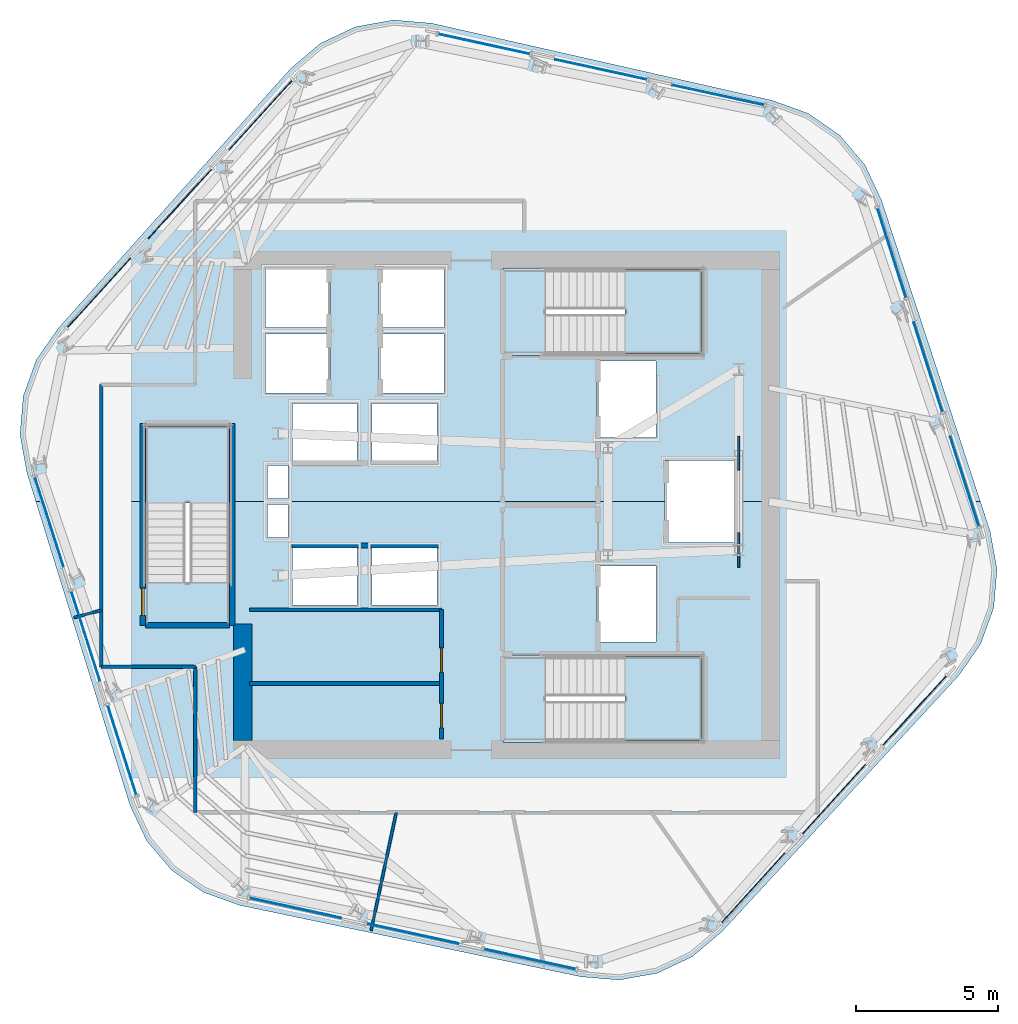
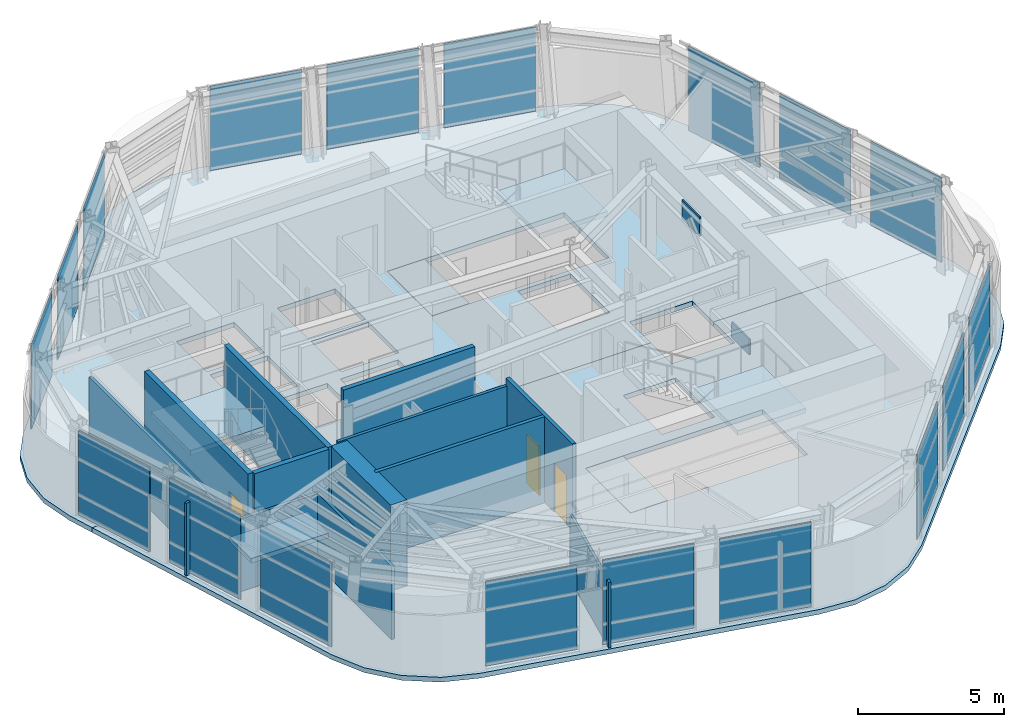
# One storey, part 6 of 13: 20 plates, 13 walls, 8 slabs, 3 doors, 3 openings, 9 elements without a shape of their own.
"""IFC4 building model written with IfcOpenShell, lengths in metres."""

from ifc_helpers import new_model, si_unit, direction, frame, frame_2d, origin, origin_2d, place, context, subcontext, project, spatial, polyline, rectangle, outline, extrude, material, layer, layer_set, type_object, element, fill, aggregate, save


model = new_model("IFC4")

# Units and contexts
model_context = context("Model", 3, precision=1e-05, world=origin(), true_north=direction((0.0, 1.0)))
body_context = subcontext(model_context, "Body", "Model", "MODEL_VIEW")
ifc_project = project(units=[si_unit("LENGTHUNIT", "METRE"), si_unit("AREAUNIT", "SQUARE_METRE"), si_unit("VOLUMEUNIT", "CUBIC_METRE"), si_unit("PLANEANGLEUNIT", "RADIAN"), si_unit("MASSUNIT", "GRAM", prefix="KILO")], contexts=[model_context])

# Site, building, storey
site_placement = place(None, origin())
site = spatial("IfcSite", under=ifc_project, at=site_placement, CompositionType="ELEMENT")
building_placement = place(site_placement, origin())
building = spatial("IfcBuilding", under=site, at=building_placement, Name="Valkerne Bourse Tower", CompositionType="ELEMENT")
storey_placement = place(building_placement, frame((0.0, 0.0, 228.39990234375)))
storey = spatial("IfcBuildingStorey", under=building, at=storey_placement, Name="L58", CompositionType="ELEMENT", Elevation=228.39990234375)

# Curtain wall, plates
ifc_material_1 = material(Name="Aluminium AA 6063-T6", Category="aluminium")
ifc_layer_1 = layer(ifc_material_1, 0.239990234375)
ifc_layer_set_1 = layer_set([ifc_layer_1], Name="Aluminium AA 6063-T6")
curtain_wall_type = type_object("IfcCurtainWallType", Name="CW-04", PredefinedType="NOTDEFINED", material=ifc_layer_set_1)
curtain_wall_1_placement = place(storey_placement, origin())
curtain_wall_1 = element("IfcCurtainWall", 1, at=curtain_wall_1_placement, inside=storey, type_object=curtain_wall_type, Name="L58 Hexagonal Stick Curtain Wall Face 1", PredefinedType="NOTDEFINED")
ifc_material_2 = material(Name="Glass IGU Low-E Double Glazed", Category="glass")
ifc_layer_2 = layer(ifc_material_2, 0.031982421875)
ifc_layer_set_2 = layer_set([ifc_layer_2], Name="Glass IGU Low-E Double Glazed")
plate_type_1 = type_object("IfcPlateType", Name="CW-PNL-IGU-32", PredefinedType="CURTAIN_PANEL", material=ifc_layer_set_2)
plate_1_placement = place(storey_placement, frame((54.2255859375, 41.284912109375, 0.030029296875), z_axis=(0.0, 0.0, 1.0), x_axis=(-0.977044611167, 0.213034804174, 0.0)))
plate_1 = element("IfcPlate", 2, at=plate_1_placement, type_object=plate_type_1, Name="CW-L58-F1 Curtain Panel 00", PredefinedType="CURTAIN_PANEL", context=body_context, shape_type="SweptSolid", body=[
    extrude(rectangle(XDim=3.2919921875, YDim=0.031982421875, at=origin_2d()), origin(), (0.0, 0.0, 1.0), 3.5400390625),
])
plate_2_placement = place(storey_placement, frame((50.110107421875, 42.18212890625, 0.030029296875), z_axis=(0.0, 0.0, 1.0), x_axis=(-0.977045688621, 0.213029862571, 0.0)))
plate_2 = element("IfcPlate", 3, at=plate_2_placement, type_object=plate_type_1, Name="CW-L58-F1 Curtain Panel 01", PredefinedType="CURTAIN_PANEL", context=body_context, shape_type="SweptSolid", body=[
    extrude(rectangle(XDim=3.2919921875, YDim=0.031982421875, at=origin_2d()), origin(), (0.0, 0.0, 1.0), 3.5400390625),
])
plate_3_placement = place(storey_placement, frame((45.994873046875, 43.079345703125, 0.030029296875), z_axis=(0.0, 0.0, 1.0), x_axis=(-0.977044611167, 0.213034804174, 0.0)))
plate_3 = element("IfcPlate", 4, at=plate_3_placement, type_object=plate_type_1, Name="CW-L58-F1 Curtain Panel 02", PredefinedType="CURTAIN_PANEL", context=body_context, shape_type="SweptSolid", body=[
    extrude(rectangle(XDim=3.2919921875, YDim=0.031982421875, at=origin_2d()), origin(), (0.0, 0.0, 1.0), 3.5400390625),
])
aggregate(curtain_wall_1, [plate_1, plate_2, plate_3])

curtain_wall_2_placement = place(storey_placement, origin())
curtain_wall_2 = element("IfcCurtainWall", 5, at=curtain_wall_2_placement, inside=storey, type_object=curtain_wall_type, Name="L58 Hexagonal Stick Curtain Wall Face 2", PredefinedType="NOTDEFINED")
plate_4_placement = place(storey_placement, frame((38.141845703125, 40.572998046875, 0.030029296875), z_axis=(0.0, 0.0, 1.0), x_axis=(-0.673011878103, -0.739631673154, 0.0)))
plate_4 = element("IfcPlate", 6, at=plate_4_placement, type_object=plate_type_1, Name="CW-L58-F2 Curtain Panel 00", PredefinedType="CURTAIN_PANEL", context=body_context, shape_type="SweptSolid", body=[
    extrude(rectangle(XDim=3.2919921875, YDim=0.031982421875, at=origin_2d()), origin(), (0.0, 0.0, 1.0), 3.5400390625),
])
plate_5_placement = place(storey_placement, frame((35.30712890625, 37.457763671875, 0.030029296875), z_axis=(0.0, 0.0, 1.0), x_axis=(-0.673011878103, -0.739631673154, 0.0)))
plate_5 = element("IfcPlate", 7, at=plate_5_placement, type_object=plate_type_1, Name="CW-L58-F2 Curtain Panel 01", PredefinedType="CURTAIN_PANEL", context=body_context, shape_type="SweptSolid", body=[
    extrude(rectangle(XDim=3.2919921875, YDim=0.031982421875, at=origin_2d()), origin(), (0.0, 0.0, 1.0), 3.5400390625),
])
plate_6_placement = place(storey_placement, frame((32.472412109375, 34.342529296875, 0.030029296875), z_axis=(0.0, 0.0, 1.0), x_axis=(-0.673024865933, -0.73961985495, 0.0)))
plate_6 = element("IfcPlate", 8, at=plate_6_placement, type_object=plate_type_1, Name="CW-L58-F2 Curtain Panel 02", PredefinedType="CURTAIN_PANEL", context=body_context, shape_type="SweptSolid", body=[
    extrude(rectangle(XDim=3.2919921875, YDim=0.031982421875, at=origin_2d()), origin(), (0.0, 0.0, 1.0), 3.5400390625),
])
aggregate(curtain_wall_2, [plate_4, plate_5, plate_6])

curtain_wall_3_placement = place(storey_placement, origin())
curtain_wall_3 = element("IfcCurtainWall", 9, at=curtain_wall_3_placement, inside=storey, type_object=curtain_wall_type, Name="L58 Hexagonal Stick Curtain Wall Face 3", PredefinedType="NOTDEFINED")
plate_7_placement = place(storey_placement, frame((30.71630859375, 26.288330078125, 0.030029296875), z_axis=(0.0, 0.0, 1.0), x_axis=(0.304014958903, -0.952667258157, 0.0)))
plate_7 = element("IfcPlate", 10, at=plate_7_placement, type_object=plate_type_1, Name="CW-L58-F3 Curtain Panel 00", PredefinedType="CURTAIN_PANEL", context=body_context, shape_type="SweptSolid", body=[
    extrude(rectangle(XDim=3.2919921875, YDim=0.031982421875, at=origin_2d()), origin(), (0.0, 0.0, 1.0), 3.5400390625),
])
plate_8_placement = place(storey_placement, frame((31.996826171875, 22.275634765625, 0.030029296875), z_axis=(0.0, 0.0, 1.0), x_axis=(0.304036506204, -0.952660381718, 0.0)))
plate_8 = element("IfcPlate", 11, at=plate_8_placement, type_object=plate_type_1, Name="CW-L58-F3 Curtain Panel 01", PredefinedType="CURTAIN_PANEL", context=body_context, shape_type="SweptSolid", body=[
    extrude(rectangle(XDim=3.2919921875, YDim=0.031982421875, at=origin_2d()), origin(), (0.0, 0.0, 1.0), 3.5400390625),
])
plate_9_placement = place(storey_placement, frame((33.27734375, 18.26318359375, 0.030029296875), z_axis=(0.0, 0.0, 1.0), x_axis=(0.304036506204, -0.952660381718, 0.0)))
plate_9 = element("IfcPlate", 12, at=plate_9_placement, type_object=plate_type_1, Name="CW-L58-F3 Curtain Panel 02", PredefinedType="CURTAIN_PANEL", context=body_context, shape_type="SweptSolid", body=[
    extrude(rectangle(XDim=3.2919921875, YDim=0.031982421875, at=origin_2d()), origin(), (0.0, 0.0, 1.0), 3.5400390625),
])
aggregate(curtain_wall_3, [plate_7, plate_8, plate_9])

curtain_wall_4_placement = place(storey_placement, origin())
curtain_wall_4 = element("IfcCurtainWall", 13, at=curtain_wall_4_placement, inside=storey, type_object=curtain_wall_type, Name="L58 Hexagonal Stick Curtain Wall Face 4", PredefinedType="NOTDEFINED")
plate_10_placement = place(storey_placement, frame((39.37451171875, 12.71533203125, 0.030029296875), z_axis=(0.0, 0.0, 1.0), x_axis=(0.977044611167, -0.213034804174, 0.0)))
plate_10 = element("IfcPlate", 14, at=plate_10_placement, type_object=plate_type_1, Name="CW-L58-F4 Curtain Panel 00", PredefinedType="CURTAIN_PANEL", context=body_context, shape_type="SweptSolid", body=[
    extrude(rectangle(XDim=3.2919921875, YDim=0.031982421875, at=origin_2d()), origin(), (0.0, 0.0, 1.0), 3.5400390625),
])
plate_11_placement = place(storey_placement, frame((43.48974609375, 11.81787109375, 0.030029296875), z_axis=(0.0, 0.0, 1.0), x_axis=(0.977045688621, -0.213029862571, 0.0)))
plate_11 = element("IfcPlate", 15, at=plate_11_placement, type_object=plate_type_1, Name="CW-L58-F4 Curtain Panel 01", PredefinedType="CURTAIN_PANEL", context=body_context, shape_type="SweptSolid", body=[
    extrude(rectangle(XDim=3.2919921875, YDim=0.031982421875, at=origin_2d()), origin(), (0.0, 0.0, 1.0), 3.5400390625),
])
plate_12_placement = place(storey_placement, frame((47.60498046875, 10.920654296875, 0.030029296875), z_axis=(0.0, 0.0, 1.0), x_axis=(0.977044611167, -0.213034804174, 0.0)))
plate_12 = element("IfcPlate", 16, at=plate_12_placement, type_object=plate_type_1, Name="CW-L58-F4 Curtain Panel 02", PredefinedType="CURTAIN_PANEL", context=body_context, shape_type="SweptSolid", body=[
    extrude(rectangle(XDim=3.2919921875, YDim=0.031982421875, at=origin_2d()), origin(), (0.0, 0.0, 1.0), 3.5400390625),
])
aggregate(curtain_wall_4, [plate_10, plate_11, plate_12])

curtain_wall_5_placement = place(storey_placement, origin())
curtain_wall_5 = element("IfcCurtainWall", 17, at=curtain_wall_5_placement, inside=storey, type_object=curtain_wall_type, Name="L58 Hexagonal Stick Curtain Wall Face 5", PredefinedType="NOTDEFINED")
plate_13_placement = place(storey_placement, frame((55.458251953125, 13.427001953125, 0.030029296875), z_axis=(0.0, 0.0, 1.0), x_axis=(0.673011878103, 0.739631673154, 0.0)))
plate_13 = element("IfcPlate", 18, at=plate_13_placement, type_object=plate_type_1, Name="CW-L58-F5 Curtain Panel 00", PredefinedType="CURTAIN_PANEL", context=body_context, shape_type="SweptSolid", body=[
    extrude(rectangle(XDim=3.2919921875, YDim=0.031982421875, at=origin_2d()), origin(), (0.0, 0.0, 1.0), 3.5400390625),
])
plate_14_placement = place(storey_placement, frame((58.29296875, 16.542236328125, 0.030029296875), z_axis=(0.0, 0.0, 1.0), x_axis=(0.673011878103, 0.739631673154, 0.0)))
plate_14 = element("IfcPlate", 19, at=plate_14_placement, type_object=plate_type_1, Name="CW-L58-F5 Curtain Panel 01", PredefinedType="CURTAIN_PANEL", context=body_context, shape_type="SweptSolid", body=[
    extrude(rectangle(XDim=3.2919921875, YDim=0.031982421875, at=origin_2d()), origin(), (0.0, 0.0, 1.0), 3.5400390625),
])
plate_15_placement = place(storey_placement, frame((61.127685546875, 19.657470703125, 0.030029296875), z_axis=(0.0, 0.0, 1.0), x_axis=(0.673024865933, 0.73961985495, 0.0)))
plate_15 = element("IfcPlate", 20, at=plate_15_placement, type_object=plate_type_1, Name="CW-L58-F5 Curtain Panel 02", PredefinedType="CURTAIN_PANEL", context=body_context, shape_type="SweptSolid", body=[
    extrude(rectangle(XDim=3.2919921875, YDim=0.031982421875, at=origin_2d()), origin(), (0.0, 0.0, 1.0), 3.5400390625),
])
aggregate(curtain_wall_5, [plate_13, plate_14, plate_15])

curtain_wall_6_placement = place(storey_placement, origin())
curtain_wall_6 = element("IfcCurtainWall", 21, at=curtain_wall_6_placement, inside=storey, type_object=curtain_wall_type, Name="L58 Hexagonal Stick Curtain Wall Face 6", PredefinedType="NOTDEFINED")
plate_16_placement = place(storey_placement, frame((62.8837890625, 27.711669921875, 0.030029296875), z_axis=(0.0, 0.0, 1.0), x_axis=(-0.304014958903, 0.952667258157, 0.0)))
plate_16 = element("IfcPlate", 22, at=plate_16_placement, type_object=plate_type_1, Name="CW-L58-F6 Curtain Panel 00", PredefinedType="CURTAIN_PANEL", context=body_context, shape_type="SweptSolid", body=[
    extrude(rectangle(XDim=3.2919921875, YDim=0.031982421875, at=origin_2d()), origin(), (0.0, 0.0, 1.0), 3.5400390625),
])
plate_17_placement = place(storey_placement, frame((61.603271484375, 31.724365234375, 0.030029296875), z_axis=(0.0, 0.0, 1.0), x_axis=(-0.304036506204, 0.952660381718, 0.0)))
plate_17 = element("IfcPlate", 23, at=plate_17_placement, type_object=plate_type_1, Name="CW-L58-F6 Curtain Panel 01", PredefinedType="CURTAIN_PANEL", context=body_context, shape_type="SweptSolid", body=[
    extrude(rectangle(XDim=3.2919921875, YDim=0.031982421875, at=origin_2d()), origin(), (0.0, 0.0, 1.0), 3.5400390625),
])
plate_18_placement = place(storey_placement, frame((60.322509765625, 35.73681640625, 0.030029296875), z_axis=(0.0, 0.0, 1.0), x_axis=(-0.304036506204, 0.952660381718, 0.0)))
plate_18 = element("IfcPlate", 24, at=plate_18_placement, type_object=plate_type_1, Name="CW-L58-F6 Curtain Panel 02", PredefinedType="CURTAIN_PANEL", context=body_context, shape_type="SweptSolid", body=[
    extrude(rectangle(XDim=3.2919921875, YDim=0.031982421875, at=origin_2d()), origin(), (0.0, 0.0, 1.0), 3.5400390625),
])
aggregate(curtain_wall_6, [plate_16, plate_17, plate_18])

# Plates
ifc_material_3 = material(Name="Steel ASTM A572 Grade 50", Category="steel")
ifc_layer_3 = layer(ifc_material_3, 0.06005859375)
ifc_layer_set_3 = layer_set([ifc_layer_3], Name="Steel ASTM A572 Grade 50")
plate_type_2 = type_object("IfcPlateType", Name="PLT-GUS-60", PredefinedType="SHEET", material=ifc_layer_set_3)
for number, where, z_axis, x_axis, name in (
    (25, (54.949951171875, 25.300048828125, -0.1796875), (0.0, 0.0, 1.0), (0.0, 1.0, 0.0), "L58 Brace Node Gusset Plate PLT-GUS-END-L58-432"),
    (26, (54.949951171875, 28.699951171875, 2.89404296875), (0.0, 0.0, 1.0), (0.0, 1.0, 0.0), "L58 Brace Node Gusset Plate PLT-GUS-END-L58-433"),
):
    element("IfcPlate", number, at=place(storey_placement, frame(where, z_axis=z_axis, x_axis=x_axis)), inside=storey, type_object=plate_type_2, Name=name, PredefinedType="SHEET", context=body_context, shape_type="SweptSolid", body=[
        extrude(rectangle(XDim=1.199951171875, YDim=0.06005859375, at=origin_2d()), origin(), (0.0, 0.0, 1.0), 0.800048828125),
    ])

# Slabs
ifc_material_4 = material(Name="Concrete C40/50", Category="concrete")
ifc_layer_4 = layer(ifc_material_4, 0.25)
ifc_layer_set_4 = layer_set([ifc_layer_4], Name="Concrete C40/50")
slab_type_1 = type_object("IfcSlabType", Name="SLB-RMP-LND-250", PredefinedType="LANDING", material=ifc_layer_set_4)
slab_1_placement = place(storey_placement, frame((0.0, 0.0, -0.199951171875)))
element("IfcSlab", 27, at=slab_1_placement, inside=storey, type_object=slab_type_1, Name="L58 ST-1 Floor Landing Slab", PredefinedType="LANDING", context=body_context, shape_type="SweptSolid", body=[
    extrude(outline(polyline([(46.669921875, 18.5400390625), (48.14990234375, 18.5400390625), (48.14990234375, 21.610107421875), (46.669921875, 21.610107421875), (46.669921875, 18.5400390625)])), origin(), (0.0, 0.0, 1.0), 0.199951171875),
])
slab_2_placement = place(storey_placement, frame((0.0, 0.0, -0.199951171875)))
element("IfcSlab", 28, at=slab_2_placement, inside=storey, type_object=slab_type_1, Name="L58 ST-2 Floor Landing Slab", PredefinedType="LANDING", context=body_context, shape_type="SweptSolid", body=[
    extrude(outline(polyline([(46.669921875, 32.139892578125), (48.14990234375, 32.139892578125), (48.14990234375, 35.2099609375), (46.669921875, 35.2099609375), (46.669921875, 32.139892578125)])), origin(), (0.0, 0.0, 1.0), 0.199951171875),
])
slab_3_placement = place(storey_placement, frame((0.0, 0.0, -0.199951171875)))
element("IfcSlab", 29, at=slab_3_placement, inside=storey, type_object=slab_type_1, Name="L58 ST-3 Floor Landing Slab", PredefinedType="LANDING", context=body_context, shape_type="SweptSolid", body=[
    extrude(outline(polyline([(37.110107421875, 22.669921875), (37.110107421875, 24.14990234375), (34.0400390625, 24.14990234375), (34.0400390625, 22.669921875), (37.110107421875, 22.669921875)])), origin(), (0.0, 0.0, 1.0), 0.199951171875),
])

# Stair, slab
stair_type = type_object("IfcStairType", Name="ST-CORE-1400", PredefinedType="HALF_TURN_STAIR", material=ifc_material_4)
stair_1_placement = place(storey_placement, origin())
stair_1 = element("IfcStair", 30, at=stair_1_placement, inside=storey, type_object=stair_type, Name="L58 ST-1", PredefinedType="HALF_TURN_STAIR")
ifc_layer_5 = layer(ifc_material_4, 0.179931640625)
ifc_layer_set_5 = layer_set([ifc_layer_5], Name="Concrete C40/50")
slab_type_2 = type_object("IfcSlabType", Name="SLB-ST-LND-180", PredefinedType="LANDING", material=ifc_layer_set_5)
slab_4_placement = place(storey_placement, frame((0.0, 0.0, 1.7001953125)))
slab_4 = element("IfcSlab", 31, at=slab_4_placement, type_object=slab_type_2, Name="ST-1 landing 1", PredefinedType="LANDING", context=body_context, shape_type="SweptSolid", body=[
    extrude(outline(polyline([(50.949951171875, 18.60009765625), (53.64990234375, 18.60009765625), (53.64990234375, 21.550048828125), (50.949951171875, 21.550048828125), (50.949951171875, 18.60009765625)])), origin(), (0.0, 0.0, 1.0), 0.199951171875),
])
aggregate(stair_1, [slab_4])

stair_2_placement = place(storey_placement, origin())
stair_2 = element("IfcStair", 32, at=stair_2_placement, inside=storey, type_object=stair_type, Name="L58 ST-2", PredefinedType="HALF_TURN_STAIR")
slab_5_placement = place(storey_placement, frame((0.0, 0.0, 1.7001953125)))
slab_5 = element("IfcSlab", 33, at=slab_5_placement, type_object=slab_type_2, Name="ST-2 landing 1", PredefinedType="LANDING", context=body_context, shape_type="SweptSolid", body=[
    extrude(outline(polyline([(50.949951171875, 32.199951171875), (53.64990234375, 32.199951171875), (53.64990234375, 35.14990234375), (50.949951171875, 35.14990234375), (50.949951171875, 32.199951171875)])), origin(), (0.0, 0.0, 1.0), 0.199951171875),
])
aggregate(stair_2, [slab_5])

stair_3_placement = place(storey_placement, origin())
stair_3 = element("IfcStair", 34, at=stair_3_placement, inside=storey, type_object=stair_type, Name="L58 ST-3", PredefinedType="HALF_TURN_STAIR")
slab_6_placement = place(storey_placement, frame((0.0, 0.0, 1.7001953125)))
slab_6 = element("IfcSlab", 35, at=slab_6_placement, type_object=slab_type_2, Name="ST-3 landing 1", PredefinedType="LANDING", context=body_context, shape_type="SweptSolid", body=[
    extrude(outline(polyline([(37.050048828125, 26.949951171875), (37.050048828125, 29.64990234375), (34.10009765625, 29.64990234375), (34.10009765625, 26.949951171875), (37.050048828125, 26.949951171875)])), origin(), (0.0, 0.0, 1.0), 0.199951171875),
])
aggregate(stair_3, [slab_6])

# Slabs
ifc_layer_6 = layer(ifc_material_4, 0.199951171875)
ifc_layer_set_6 = layer_set([ifc_layer_6], Name="Concrete C40/50")
slab_type_3 = type_object("IfcSlabType", Name="SLB-TOW-200", PredefinedType="FLOOR", material=ifc_layer_set_6)
slab_7_placement = place(storey_placement, frame((0.0, 0.0, -0.199951171875)))
element("IfcSlab", 36, at=slab_7_placement, inside=storey, type_object=slab_type_3, Name="L58 Hexagonal Composite Floor Slab S", PredefinedType="FLOOR", context=body_context, shape_type="SweptSolid", body=[
    extrude(outline(polyline([(64.02392578125, 24.6220703125), (63.910400390625, 23.269287109375), (63.450439453125, 21.9921875), (62.67578125, 20.87744140625), (54.35400390625, 11.882080078125), (53.317138671875, 11.005859375), (52.0888671875, 10.427978515625), (50.752685546875, 10.1875), (49.400146484375, 10.301025390625), (37.406005859375, 12.812744140625), (36.128662109375, 13.272705078125), (35.013916015625, 14.04736328125), (34.1376953125, 15.084228515625), (33.559814453125, 16.3125), (30.245849609375, 27.0), (34.034912109375, 27.0), (34.034912109375, 22.6650390625), (37.114990234375, 22.6650390625), (37.114990234375, 27.0), (52.360107421875, 27.0), (52.360107421875, 25.56005859375), (54.840087890625, 25.56005859375), (54.840087890625, 27.0), (63.44140625, 27.0), (63.783447265625, 25.9580078125), (64.02392578125, 24.6220703125)]), holes=[polyline([(41.5400390625, 25.43994140625), (39.260009765625, 25.43994140625), (39.260009765625, 23.360107421875), (41.5400390625, 23.360107421875), (41.5400390625, 25.43994140625)]), polyline([(44.340087890625, 25.43994140625), (42.06005859375, 25.43994140625), (42.06005859375, 23.360107421875), (44.340087890625, 23.360107421875), (44.340087890625, 25.43994140625)]), polyline([(39.10009765625, 26.89990234375), (38.3798828125, 26.89990234375), (38.3798828125, 25.72998046875), (39.10009765625, 25.72998046875), (39.10009765625, 26.89990234375)]), polyline([(53.675048828125, 21.614990234375), (46.6650390625, 21.614990234375), (46.6650390625, 18.534912109375), (53.675048828125, 18.534912109375), (53.675048828125, 21.614990234375)]), polyline([(52.0400390625, 24.739990234375), (49.9599609375, 24.739990234375), (49.9599609375, 22.06005859375), (52.0400390625, 22.06005859375), (52.0400390625, 24.739990234375)])]), origin(), (0.0, 0.0, 1.0), 0.199951171875),
])
slab_8_placement = place(storey_placement, frame((0.0, 0.0, -0.199951171875)))
element("IfcSlab", 37, at=slab_8_placement, inside=storey, type_object=slab_type_3, Name="L58 Hexagonal Composite Floor Slab N", PredefinedType="FLOOR", context=body_context, shape_type="SweptSolid", body=[
    extrude(outline(polyline([(29.930419921875, 28.01708984375), (29.690185546875, 29.35302734375), (29.8037109375, 30.705810546875), (30.263671875, 31.98291015625), (31.038330078125, 33.09765625), (39.210693359375, 42.22900390625), (40.247314453125, 43.105224609375), (41.4755859375, 43.683349609375), (42.811767578125, 43.923583984375), (44.164306640625, 43.81005859375), (56.115478515625, 41.100830078125), (57.392578125, 40.64111328125), (58.50732421875, 39.8662109375), (59.383544921875, 38.82958984375), (59.961669921875, 37.601318359375), (63.44140625, 27.0), (54.840087890625, 27.0), (54.840087890625, 28.43994140625), (52.360107421875, 28.43994140625), (52.360107421875, 27.0), (37.114990234375, 27.0), (37.114990234375, 29.675048828125), (34.034912109375, 29.675048828125), (34.034912109375, 27.0), (30.245849609375, 27.0), (29.930419921875, 28.01708984375)]), holes=[polyline([(39.10009765625, 28.27001953125), (38.3798828125, 28.27001953125), (38.3798828125, 27.10009765625), (39.10009765625, 27.10009765625), (39.10009765625, 28.27001953125)]), polyline([(41.5400390625, 30.43994140625), (39.260009765625, 30.43994140625), (39.260009765625, 28.360107421875), (41.5400390625, 28.360107421875), (41.5400390625, 30.43994140625)]), polyline([(40.590087890625, 32.889892578125), (38.31005859375, 32.889892578125), (38.31005859375, 30.81005859375), (40.590087890625, 30.81005859375), (40.590087890625, 32.889892578125)]), polyline([(40.590087890625, 35.18994140625), (38.31005859375, 35.18994140625), (38.31005859375, 33.110107421875), (40.590087890625, 33.110107421875), (40.590087890625, 35.18994140625)]), polyline([(44.340087890625, 30.43994140625), (42.06005859375, 30.43994140625), (42.06005859375, 28.360107421875), (44.340087890625, 28.360107421875), (44.340087890625, 30.43994140625)]), polyline([(52.0400390625, 31.93994140625), (49.9599609375, 31.93994140625), (49.9599609375, 29.260009765625), (52.0400390625, 29.260009765625), (52.0400390625, 31.93994140625)]), polyline([(44.590087890625, 32.889892578125), (42.31005859375, 32.889892578125), (42.31005859375, 30.81005859375), (44.590087890625, 30.81005859375), (44.590087890625, 32.889892578125)]), polyline([(53.675048828125, 35.215087890625), (46.6650390625, 35.215087890625), (46.6650390625, 32.135009765625), (53.675048828125, 32.135009765625), (53.675048828125, 35.215087890625)]), polyline([(44.590087890625, 35.18994140625), (42.31005859375, 35.18994140625), (42.31005859375, 33.110107421875), (44.590087890625, 33.110107421875), (44.590087890625, 35.18994140625)])]), origin(), (0.0, 0.0, 1.0), 0.199951171875),
])

# Walls
ifc_material_5 = material(Name="Concrete C55/67", Category="concrete")
ifc_layer_7 = layer(ifc_material_5, 0.64990234375)
ifc_layer_set_7 = layer_set([ifc_layer_7], Name="Concrete C55/67")
wall_type_1 = type_object("IfcWallType", Name="W-CORE-650", PredefinedType="SHEAR", material=ifc_layer_set_7)
wall_1_placement = place(storey_placement, frame((37.52490234375, 18.60009765625, 0.0), z_axis=(0.0, 0.0, 1.0), x_axis=(0.0, 1.0, 0.0)))
element("IfcWall", 38, at=wall_1_placement, inside=storey, type_object=wall_type_1, Name="L58 Core Shear Wall WEST-S", PredefinedType="SHEAR", context=body_context, shape_type="SweptSolid", body=[
    extrude(rectangle(XDim=4.099853515625, YDim=0.64990234375, at=frame_2d((2.0498046875, 0.0))), origin(), (0.0, 0.0, 1.0), 3.60009765625),
])
ifc_material_6 = material(Name="Gypsum Board Steel-Stud Partition", Category="steel")
ifc_layer_8 = layer(ifc_material_6, 0.117919921875)
ifc_layer_set_8 = layer_set([ifc_layer_8], Name="Gypsum Board Steel-Stud Partition")
wall_type_2 = type_object("IfcWallType", Name="W-CORR-140", PredefinedType="PARTITIONING", material=ifc_layer_set_8)
wall_2_placement = place(storey_placement, frame((37.75, 23.199951171875, 0.0), z_axis=(0.0, 0.0, 1.0), x_axis=(1.0, 0.0, 0.0)))
element("IfcWall", 39, at=wall_2_placement, inside=storey, type_object=wall_type_2, Name="L58 LV7 Low-Bank North Wall", PredefinedType="PARTITIONING", context=body_context, shape_type="SweptSolid", body=[
    extrude(rectangle(XDim=6.75, YDim=0.117919921875, at=frame_2d((3.375, 0.0))), origin(), (0.0, 0.0, 1.0), 3.300048828125),
])
wall_3_placement = place(storey_placement, frame((35.85009765625, 16.080078125, 0.0), z_axis=(0.0, 0.0, 1.0), x_axis=(0.0, 1.0, 0.0)))
element("IfcWall", 40, at=wall_3_placement, inside=storey, type_object=wall_type_2, Name="L58 Corridor Enclosure Wall", PredefinedType="PARTITIONING", context=body_context, shape_type="SweptSolid", body=[
    extrude(rectangle(XDim=5.119873046875, YDim=0.117919921875, at=frame_2d((2.56005859375, 0.0))), origin(), (0.0, 0.0, 1.0), 3.04150390625),
])
wall_4_placement = place(storey_placement, frame((35.85009765625, 21.199951171875, 0.0), z_axis=(0.0, 0.0, 1.0), x_axis=(-1.0, 0.0, 0.0)))
element("IfcWall", 41, at=wall_4_placement, inside=storey, type_object=wall_type_2, Name="L58 Corridor Enclosure Wall", PredefinedType="PARTITIONING", context=body_context, shape_type="SweptSolid", body=[
    extrude(rectangle(XDim=3.300048828125, YDim=0.117919921875, at=frame_2d((1.64990234375, 0.0))), origin(), (0.0, 0.0, 1.0), 3.036376953125),
])
wall_5_placement = place(storey_placement, frame((32.550048828125, 21.199951171875, 0.0), z_axis=(0.0, 0.0, 1.0), x_axis=(0.0, 1.0, 0.0)))
element("IfcWall", 42, at=wall_5_placement, inside=storey, type_object=wall_type_2, Name="L58 Corridor Enclosure Wall", PredefinedType="PARTITIONING", context=body_context, shape_type="SweptSolid", body=[
    extrude(rectangle(XDim=9.900146484375, YDim=0.117919921875, at=frame_2d((4.9501953125, 0.0))), origin(), (0.0, 0.0, 1.0), 3.036376953125),
])
ifc_material_7 = material(Name="CMU Blockwork Masonry 200mm", Category="masonry")
ifc_layer_9 = layer(ifc_material_7, 0.179931640625)
ifc_layer_set_9 = layer_set([ifc_layer_9], Name="CMU Blockwork Masonry 200mm")
wall_type_3 = type_object("IfcWallType", Name="W-LFT-180", PredefinedType="SOLIDWALL", material=ifc_layer_set_9)
wall_6_placement = place(storey_placement, frame((39.25, 25.449951171875, 0.0), z_axis=(0.0, 0.0, 1.0), x_axis=(1.0, 0.0, 0.0)))
element("IfcWall", 43, at=wall_6_placement, inside=storey, type_object=wall_type_3, Name="L58 High-Zone South Cars Front Wall", PredefinedType="SOLIDWALL", context=body_context, shape_type="SweptSolid", body=[
    extrude(rectangle(XDim=5.199951171875, YDim=0.179931640625, at=frame_2d((2.60009765625, 0.0))), origin(), (0.0, 0.0, 1.0), 3.60009765625),
])
ifc_layer_10 = layer(ifc_material_6, 0.092041015625)
ifc_layer_set_10 = layer_set([ifc_layer_10], Name="Gypsum Board Steel-Stud Partition")
wall_type_4 = type_object("IfcWallType", Name="W-PART-115", PredefinedType="PARTITIONING", material=ifc_layer_set_10)
wall_7_placement = place(storey_placement, frame((42.91162109375, 16.074951171875, 0.0), z_axis=(0.0, 0.0, 1.0), x_axis=(-0.207940485995, -0.978141479687, 0.0)))
element("IfcWall", 44, at=wall_7_placement, inside=storey, type_object=wall_type_4, Name="L58 Suite Partition P01", PredefinedType="PARTITIONING", context=body_context, shape_type="SweptSolid", body=[
    extrude(rectangle(XDim=4.25146484375, YDim=0.092041015625, at=frame_2d((2.125732421875, 0.0))), origin(), (0.0, 0.0, 1.0), 2.731689453125),
])
wall_8_placement = place(storey_placement, frame((32.544921875, 23.180419921875, 0.0), z_axis=(0.0, 0.0, 1.0), x_axis=(-0.965875768108, -0.259005792565, 0.0)))
element("IfcWall", 45, at=wall_8_placement, inside=storey, type_object=wall_type_4, Name="L58 Suite Partition P05", PredefinedType="PARTITIONING", context=body_context, shape_type="SweptSolid", body=[
    extrude(rectangle(XDim=0.995361328125, YDim=0.092041015625, at=frame_2d((0.49755859375, 0.0))), origin(), (0.0, 0.0, 1.0), 3.036376953125),
])

# Wall, opening, door
ifc_layer_11 = layer(ifc_material_4, 0.199951171875)
ifc_layer_set_11 = layer_set([ifc_layer_11], Name="Concrete C40/50")
wall_type_5 = type_object("IfcWallType", Name="W-SHF-200", PredefinedType="SHEAR", material=ifc_layer_set_11)
wall_9_placement = place(storey_placement, frame((34.0, 22.64990234375, 0.0), z_axis=(0.0, 0.0, 1.0), x_axis=(0.0, 1.0, 0.0)))
wall_9 = element("IfcWall", 46, at=wall_9_placement, inside=storey, type_object=wall_type_5, Name="L58 Exit Stair ST-3 Structural Shaft Wall West", PredefinedType="SHEAR", context=body_context, shape_type="SweptSolid", body=[
    extrude(rectangle(XDim=7.10009765625, YDim=0.199951171875, at=frame_2d((3.550048828125, 0.0))), origin(), (0.0, 0.0, 1.0), 3.60009765625),
])
opening_1_placement = place(wall_9_placement, frame((0.35009765625, 0.0, 0.0)))
opening_1 = element("IfcOpeningElement", 47, at=opening_1_placement, cuts=wall_9, Name="Opening D-ST-950", PredefinedType="OPENING", context=body_context, shape_type="SweptSolid", body=[
    extrude(rectangle(XDim=0.949951171875, YDim=2.10009765625, at=frame_2d((0.47509765625, 1.050048828125))), frame((0.0, 0.10986328125, 0.0), z_axis=(0.0, -1.0, 0.0), x_axis=(1.0, 0.0, 0.0)), (0.0, 0.0, 1.0), 0.219970703125),
])
ifc_material_8 = material(Name="Galvanised Painted Steel", Category="steel")
door_type_1 = type_object("IfcDoorType", Name="DR-STAIR-950", OperationType="NOTDEFINED", PredefinedType="DOOR", material=ifc_material_8)
door_1_placement = place(opening_1_placement, origin())
door_1 = element("IfcDoor", 48, at=door_1_placement, inside=storey, type_object=door_type_1, Name="L58 Exit Stair ST-3 Door", OperationType="SINGLE_SWING_RIGHT", OverallHeight=2.10009765625, OverallWidth=0.949951171875, PredefinedType="DOOR", context=body_context, shape_type="SweptSolid", body=[
    extrude(rectangle(XDim=0.949951171875, YDim=2.10009765625, at=frame_2d((0.47509765625, 1.050048828125))), frame((0.0, 0.02490234375, 0.0), z_axis=(0.0, -1.0, 0.0), x_axis=(1.0, 0.0, 0.0)), (0.0, 0.0, 1.0), 0.050048828125),
])
fill(opening_1, door_1)

# Walls
wall_10_placement = place(storey_placement, frame((34.10009765625, 22.64990234375, 0.0), z_axis=(0.0, 0.0, 1.0), x_axis=(1.0, 0.0, 0.0)))
element("IfcWall", 49, at=wall_10_placement, inside=storey, type_object=wall_type_5, Name="L58 Exit Stair ST-3 Structural Shaft Wall South", PredefinedType="SHEAR", context=body_context, shape_type="SweptSolid", body=[
    extrude(rectangle(XDim=2.949951171875, YDim=0.199951171875, at=frame_2d((1.47509765625, 0.0))), origin(), (0.0, 0.0, 1.0), 3.60009765625),
])
wall_11_placement = place(storey_placement, frame((37.14990234375, 22.64990234375, 0.0), z_axis=(0.0, 0.0, 1.0), x_axis=(0.0, 1.0, 0.0)))
element("IfcWall", 50, at=wall_11_placement, inside=storey, type_object=wall_type_5, Name="L58 Exit Stair ST-3 Structural Shaft Wall East", PredefinedType="SHEAR", context=body_context, shape_type="SweptSolid", body=[
    extrude(rectangle(XDim=7.10009765625, YDim=0.199951171875, at=frame_2d((3.550048828125, 0.0))), origin(), (0.0, 0.0, 1.0), 3.60009765625),
])

# Wall, openings, doors
ifc_material_9 = material(Name="Moisture-Resistant Gypsum Partition", Category="gypsum")
ifc_layer_12 = layer(ifc_material_9, 0.139892578125)
ifc_layer_set_12 = layer_set([ifc_layer_12], Name="Moisture-Resistant Gypsum Partition")
wall_type_6 = type_object("IfcWallType", Name="W-WET-140", PredefinedType="PARTITIONING", material=ifc_layer_set_12)
wall_12_placement = place(storey_placement, frame((44.5, 18.64990234375, 0.0), z_axis=(0.0, 0.0, 1.0), x_axis=(0.0, 1.0, 0.0)))
wall_12 = element("IfcWall", 51, at=wall_12_placement, inside=storey, type_object=wall_type_6, Name="L58 LV7 Low-Bank East Wall", PredefinedType="PARTITIONING", context=body_context, shape_type="SweptSolid", body=[
    extrude(rectangle(XDim=4.550048828125, YDim=0.139892578125, at=frame_2d((2.27490234375, 0.0))), origin(), (0.0, 0.0, 1.0), 3.60009765625),
])
opening_2_placement = place(wall_12_placement, frame((0.39990234375, 0.0, 0.0)))
opening_2 = element("IfcOpeningElement", 52, at=opening_2_placement, cuts=wall_12, Name="Opening D-WC-900", PredefinedType="OPENING", context=body_context, shape_type="SweptSolid", body=[
    extrude(rectangle(XDim=0.860107421875, YDim=2.050048828125, at=frame_2d((0.43017578125, 1.02490234375))), frame((0.0, 0.079833984375, 0.0), z_axis=(0.0, -1.0, 0.0), x_axis=(1.0, 0.0, 0.0)), (0.0, 0.0, 1.0), 0.159912109375),
])
opening_3_placement = place(wall_12_placement, frame((2.35009765625, 0.0, 0.0)))
opening_3 = element("IfcOpeningElement", 53, at=opening_3_placement, cuts=wall_12, Name="Opening D-WC-900", PredefinedType="OPENING", context=body_context, shape_type="SweptSolid", body=[
    extrude(rectangle(XDim=0.860107421875, YDim=2.050048828125, at=frame_2d((0.43017578125, 1.02490234375))), frame((0.0, 0.079833984375, 0.0), z_axis=(0.0, -1.0, 0.0), x_axis=(1.0, 0.0, 0.0)), (0.0, 0.0, 1.0), 0.159912109375),
])
ifc_material_10 = material(Name="Architectural White Oak Timber", Category="wood")
door_type_2 = type_object("IfcDoorType", Name="DR-WC-900", OperationType="NOTDEFINED", PredefinedType="DOOR", material=ifc_material_10)
door_2_placement = place(opening_2_placement, origin())
door_2 = element("IfcDoor", 54, at=door_2_placement, inside=storey, type_object=door_type_2, Name="L58 Beverage Kitchen Door", OperationType="SINGLE_SWING_LEFT", OverallHeight=2.050048828125, OverallWidth=0.860107421875, PredefinedType="DOOR", context=body_context, shape_type="SweptSolid", body=[
    extrude(rectangle(XDim=0.860107421875, YDim=2.050048828125, at=frame_2d((0.43017578125, 1.02490234375))), frame((0.0, 0.02490234375, 0.0), z_axis=(0.0, -1.0, 0.0), x_axis=(1.0, 0.0, 0.0)), (0.0, 0.0, 1.0), 0.050048828125),
])
fill(opening_2, door_2)
door_3_placement = place(opening_3_placement, origin())
door_3 = element("IfcDoor", 55, at=door_3_placement, inside=storey, type_object=door_type_2, Name="L58 Compliance Briefing Office Door", OperationType="SINGLE_SWING_LEFT", OverallHeight=2.050048828125, OverallWidth=0.860107421875, PredefinedType="DOOR", context=body_context, shape_type="SweptSolid", body=[
    extrude(rectangle(XDim=0.860107421875, YDim=2.050048828125, at=frame_2d((0.43017578125, 1.02490234375))), frame((0.0, 0.02490234375, 0.0), z_axis=(0.0, -1.0, 0.0), x_axis=(1.0, 0.0, 0.0)), (0.0, 0.0, 1.0), 0.050048828125),
])
fill(opening_3, door_3)

# Wall
wall_13_placement = place(storey_placement, frame((37.75, 20.610107421875, 0.0), z_axis=(0.0, 0.0, 1.0), x_axis=(1.0, 0.0, 0.0)))
element("IfcWall", 56, at=wall_13_placement, inside=storey, type_object=wall_type_6, Name="L58 LV7 Low-Bank Sub-Divider", PredefinedType="PARTITIONING", context=body_context, shape_type="SweptSolid", body=[
    extrude(rectangle(XDim=6.75, YDim=0.139892578125, at=frame_2d((3.375, 0.0))), origin(), (0.0, 0.0, 1.0), 3.60009765625),
])

save(model, "model.ifc")
